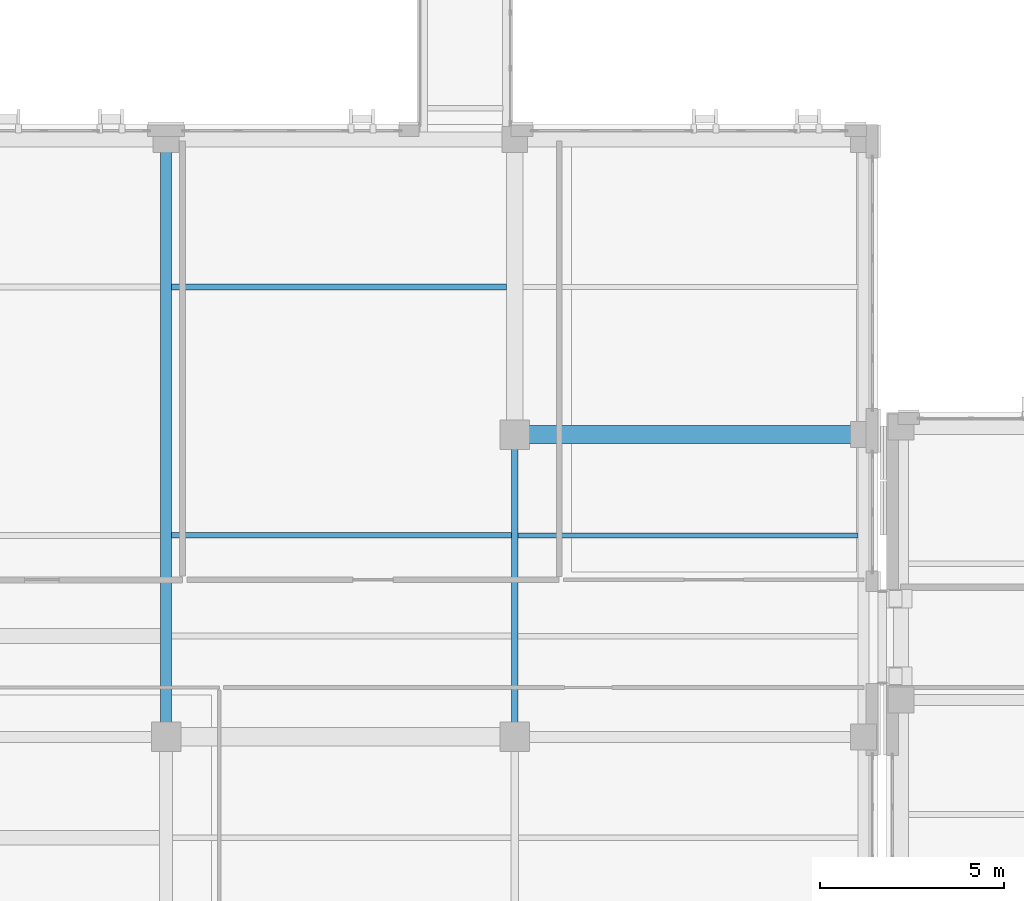
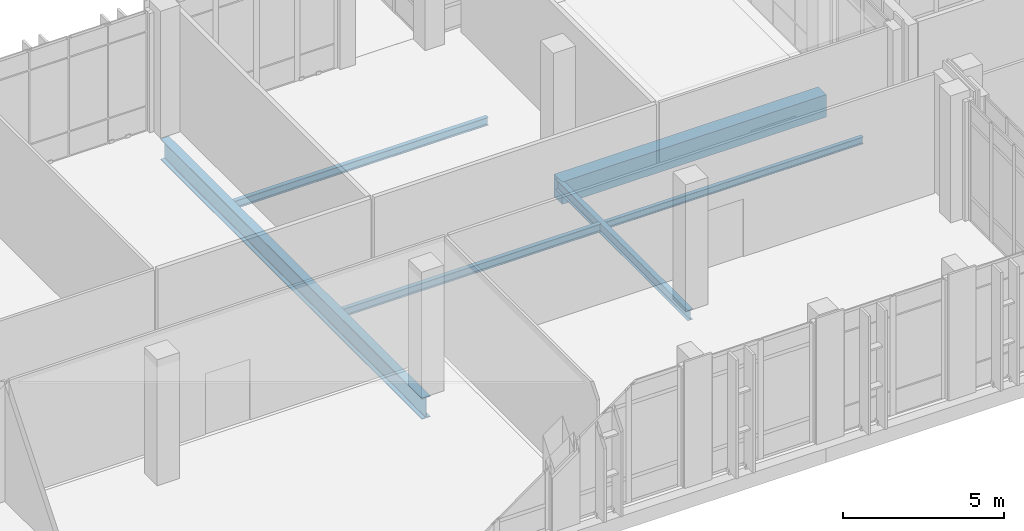
# One storey, part 39 of 189: 6 beams.
"""IFC4 building model written with IfcOpenShell, lengths in metres."""

from ifc_helpers import new_model, si_unit, direction, frame, origin, origin_2d, place, context, subcontext, project, spatial, rectangle, i_section, extrude, material, material_profile, profile_set, type_object, element, save


model = new_model("IFC4")

# Units and contexts
model_context = context("Model", 3, precision=1e-05, world=origin(), true_north=direction((0.0, 1.0)))
body_context = subcontext(model_context, "Body", "Model", "MODEL_VIEW")
ifc_project = project(units=[si_unit("LENGTHUNIT", "METRE"), si_unit("AREAUNIT", "SQUARE_METRE"), si_unit("VOLUMEUNIT", "CUBIC_METRE"), si_unit("PLANEANGLEUNIT", "RADIAN"), si_unit("MASSUNIT", "GRAM", prefix="KILO")], contexts=[model_context])

# Site, building, storey
site_placement = place(None, origin())
site = spatial("IfcSite", under=ifc_project, at=site_placement, CompositionType="ELEMENT")
building_placement = place(site_placement, origin())
building = spatial("IfcBuilding", under=site, at=building_placement, Name="Qalavern Law Courts", CompositionType="ELEMENT")
storey_placement = place(building_placement, frame((0.0, 0.0, 5.39990234375)))
storey = spatial("IfcBuildingStorey", under=building, at=storey_placement, Name="L01", CompositionType="ELEMENT", Elevation=5.39990234375)

# Beams
ifc_material_1 = material(Name="Steel S355", Category="steel")
ifc_material_profile_1 = material_profile(ifc_material_1, i_section(OverallWidth=0.300048828125, OverallDepth=0.800048828125, WebThickness=0.017578125, FlangeThickness=0.032958984375, FilletRadius=0.030029296875, at=origin_2d()), Name="HEB 800")
ifc_profile_set_1 = profile_set([ifc_material_profile_1], Name="Steel S355")
beam_type_1 = type_object("IfcBeamType", Name="STR-BM-HEB800", PredefinedType="BEAM", material=ifc_profile_set_1)
beam_1_placement = place(storey_placement, frame((81.891357421875, 13.800048828125, -0.699951171875), z_axis=(0.0, 1.0, 0.0), x_axis=(-1.0, 0.0, 0.0)))
element("IfcBeam", 1, at=beam_1_placement, inside=storey, type_object=beam_type_1, Name="V2 Y-beam 6-2 L01", PredefinedType="BEAM", context=body_context, shape_type="SweptSolid", body=[
    extrude(i_section(OverallWidth=0.300048828125, OverallDepth=0.800048828125, WebThickness=0.017578125, FlangeThickness=0.032958984375, FilletRadius=0.030029296875, at=origin_2d()), origin(), (0.0, 0.0, 1.0), 16.199951171875),
])
ifc_material_profile_2 = material_profile(ifc_material_1, i_section(OverallWidth=0.179931640625, OverallDepth=0.39990234375, WebThickness=0.008544921875, FlangeThickness=0.013427734375, FilletRadius=0.02099609375, at=origin_2d()), Name="IPE 400")
ifc_profile_set_2 = profile_set([ifc_material_profile_2], Name="Steel S355")
beam_type_2 = type_object("IfcBeamType", Name="STR-BM-IPE400", PredefinedType="BEAM", material=ifc_profile_set_2)
beam_2_placement = place(storey_placement, frame((91.345703125, 13.800048828125, -0.5), z_axis=(0.0, 1.0, 0.0), x_axis=(-1.0, 0.0, 0.0)))
element("IfcBeam", 2, at=beam_2_placement, inside=storey, type_object=beam_type_2, Name="V2 Y-beam 7-2 L01", PredefinedType="BEAM", context=body_context, shape_type="SweptSolid", body=[
    extrude(i_section(OverallWidth=0.179931640625, OverallDepth=0.39990234375, WebThickness=0.008544921875, FlangeThickness=0.013427734375, FilletRadius=0.02099609375, at=origin_2d()), origin(), (0.0, 0.0, 1.0), 8.199951171875),
])
ifc_material_2 = material(Name="Concrete C40/50", Category="concrete")
ifc_material_profile_3 = material_profile(ifc_material_2, rectangle(XDim=0.5, YDim=0.85009765625, at=origin_2d()), Name="RC 500x850")
ifc_profile_set_3 = profile_set([ifc_material_profile_3], Name="Concrete C40/50")
beam_type_3 = type_object("IfcBeamType", Name="STR-BM-RC500x850", PredefinedType="BEAM", material=ifc_profile_set_3)
beam_3_placement = place(storey_placement, frame((91.345703125, 22.0, -0.724853515625), z_axis=(1.0, 0.0, 0.0), x_axis=(0.0, 1.0, 0.0)))
element("IfcBeam", 3, at=beam_3_placement, inside=storey, type_object=beam_type_3, Name="V2 X-beam 3-3 L01", PredefinedType="BEAM", context=body_context, shape_type="SweptSolid", body=[
    extrude(rectangle(XDim=0.5, YDim=0.85009765625, at=origin_2d()), origin(), (0.0, 0.0, 1.0), 9.454345703125),
])
ifc_material_profile_4 = material_profile(ifc_material_1, i_section(OverallWidth=0.135009765625, OverallDepth=0.27001953125, WebThickness=0.006591796875, FlangeThickness=0.01025390625, FilletRadius=0.014892578125, at=origin_2d()), Name="IPE 270")
ifc_profile_set_4 = profile_set([ifc_material_profile_4], Name="Steel S355")
beam_type_4 = type_object("IfcBeamType", Name="STR-JST-IPE270", PredefinedType="JOIST", material=ifc_profile_set_4)
beam_4_placement = place(storey_placement, frame((91.43359375, 19.2666015625, -0.434814453125), z_axis=(1.0, 0.0, 0.0), x_axis=(0.0, 1.0, 0.0)))
element("IfcBeam", 4, at=beam_4_placement, inside=storey, type_object=beam_type_4, Name="V2 secondary joist 7.2.2 L01", PredefinedType="JOIST", context=body_context, shape_type="SweptSolid", body=[
    extrude(i_section(OverallWidth=0.135009765625, OverallDepth=0.27001953125, WebThickness=0.006591796875, FlangeThickness=0.01025390625, FilletRadius=0.014892578125, at=origin_2d()), origin(), (0.0, 0.0, 1.0), 9.218505859375),
])
ifc_material_profile_5 = material_profile(ifc_material_1, i_section(OverallWidth=0.14990234375, OverallDepth=0.300048828125, WebThickness=0.007080078125, FlangeThickness=0.0107421875, FilletRadius=0.014892578125, at=origin_2d()), Name="IPE 300")
ifc_profile_set_5 = profile_set([ifc_material_profile_5], Name="Steel S355")
beam_type_5 = type_object("IfcBeamType", Name="STR-JST-IPE300", PredefinedType="JOIST", material=ifc_profile_set_5)
beam_5_placement = place(storey_placement, frame((82.039306640625, 19.2666015625, -0.449951171875), z_axis=(1.0, 0.0, 0.0), x_axis=(0.0, 1.0, 0.0)))
element("IfcBeam", 5, at=beam_5_placement, inside=storey, type_object=beam_type_5, Name="V2 secondary joist 6.2.2 L01", PredefinedType="JOIST", context=body_context, shape_type="SweptSolid", body=[
    extrude(i_section(OverallWidth=0.14990234375, OverallDepth=0.300048828125, WebThickness=0.007080078125, FlangeThickness=0.0107421875, FilletRadius=0.014892578125, at=origin_2d()), origin(), (0.0, 0.0, 1.0), 9.218505859375),
])
beam_6_placement = place(storey_placement, frame((82.039306640625, 26.0, -0.449951171875), z_axis=(1.0, 0.0, 0.0), x_axis=(0.0, 1.0, 0.0)))
element("IfcBeam", 6, at=beam_6_placement, inside=storey, type_object=beam_type_5, Name="V2 secondary joist 6.3.1 L01", PredefinedType="JOIST", context=body_context, shape_type="SweptSolid", body=[
    extrude(i_section(OverallWidth=0.14990234375, OverallDepth=0.300048828125, WebThickness=0.007080078125, FlangeThickness=0.0107421875, FilletRadius=0.014892578125, at=origin_2d()), origin(), (0.0, 0.0, 1.0), 9.08349609375),
])

save(model, "model.ifc")
